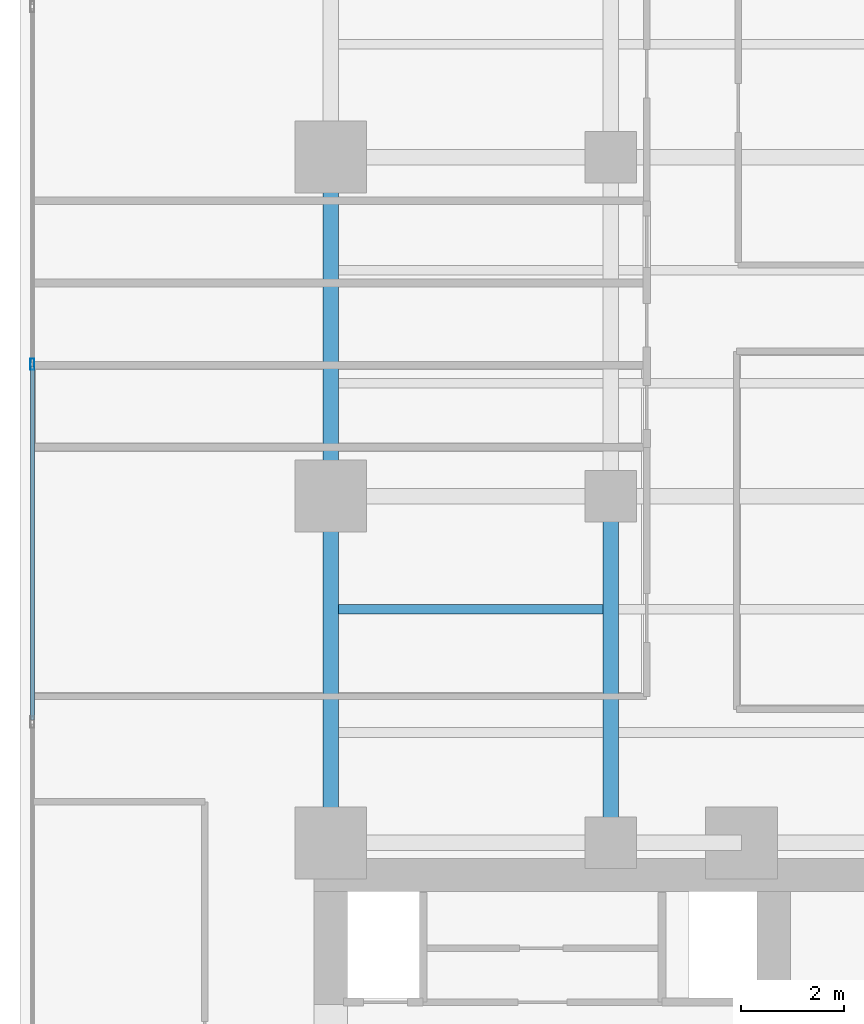
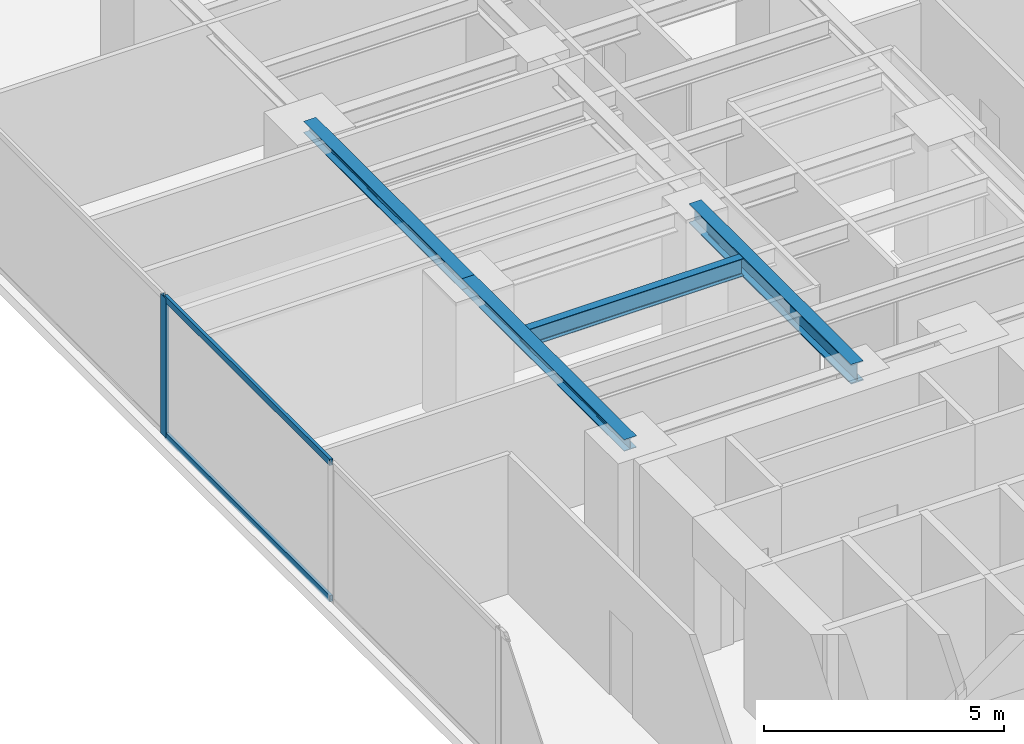
# One storey, part 8 of 28: 4 beams, 3 members, 1 element without a shape of its own.
"""IFC4 building model written with IfcOpenShell, lengths in metres."""

import ifcopenshell
import ifcopenshell.guid

model = None  # the IFC model being written
_history = None  # IfcOwnerHistory: only IFC2X3 demands one
_inside = {}  # id of a spatial element -> (the spatial element, [elements in it])
_under = {}  # id of a project, library or spatial element -> (it, [spatial elements below it])
_declared = {}  # id of a project -> (the project, [libraries it declares])
_typed = {}  # id of a type object -> (the type object, [elements of that type])
_made_of = {}  # id of a material, layer set ... -> (it, [elements and type objects made of it])


def new_model(schema):
    """Start an empty IFC model of exactly this schema.

    Asked for "IFC4X3", IfcOpenShell would pick the latest addendum, in which some entities
    have other attributes; the version numbers below select the first issue.
    IFC2X3 requires an IfcOwnerHistory on every rooted entity: one is made here for all.
    """
    global model, _history
    if schema == "IFC4X3":
        model = ifcopenshell.file(schema_version=(4, 3, 0, 0))
    else:
        model = ifcopenshell.file(schema=schema)
    _inside.clear()
    _under.clear()
    _declared.clear()
    _typed.clear()
    _made_of.clear()
    _history = None
    if model.schema == "IFC2X3":
        org = make("IfcOrganization", Name="unknown")
        user = make(
            "IfcPersonAndOrganization",
            ThePerson=make("IfcPerson", FamilyName="unknown"),
            TheOrganization=org,
        )
        app = make(
            "IfcApplication",
            ApplicationDeveloper=org,
            Version="unknown",
            ApplicationFullName="unknown",
            ApplicationIdentifier="unknown",
        )
        _history = make(
            "IfcOwnerHistory",
            OwningUser=user,
            OwningApplication=app,
            ChangeAction="ADDED",
            CreationDate=0,
        )
    return model


def make(cls, **values):
    """One entity of the class cls with the attributes given. An attribute that is None is left unset."""
    return model.create_entity(
        cls, **{name: value for name, value in values.items() if value is not None}
    )


def rooted(cls, **values):
    """An entity with a GlobalId (a new one), such as an element, a storey or a relation."""
    return make(cls, GlobalId=ifcopenshell.guid.new(), OwnerHistory=_history, **values)


def si_unit(unit_type, name, prefix=None):
    """IfcSIUnit, for example si_unit("LENGTHUNIT", "METRE", prefix="MILLI")."""
    return make("IfcSIUnit", UnitType=unit_type, Prefix=prefix, Name=name)


def assignment(units):
    """IfcUnitAssignment: the units of a project."""
    return None if units is None else make("IfcUnitAssignment", Units=units)


def point(xyz):
    """IfcCartesianPoint."""
    return None if xyz is None else make("IfcCartesianPoint", Coordinates=xyz)


def direction(xyz):
    """IfcDirection."""
    return None if xyz is None else make("IfcDirection", DirectionRatios=xyz)


def frame(location, z_axis=None, x_axis=None):
    """IfcAxis2Placement3D, a coordinate frame: its origin and axes. An axis left out is left unset."""
    return make(
        "IfcAxis2Placement3D",
        Location=point(location),
        Axis=direction(z_axis),
        RefDirection=direction(x_axis),
    )


def frame_2d(location, x_axis=None):
    """IfcAxis2Placement2D, a coordinate frame in the plane: its origin and x axis."""
    return make(
        "IfcAxis2Placement2D", Location=point(location), RefDirection=direction(x_axis)
    )


def origin():
    """The frame at (0, 0, 0) with its axes left unset."""
    return frame((0.0, 0.0, 0.0))


def origin_with_axes():
    """The frame at (0, 0, 0) with the z axis (0, 0, 1) and the x axis (1, 0, 0) written out."""
    return frame((0.0, 0.0, 0.0), z_axis=(0.0, 0.0, 1.0), x_axis=(1.0, 0.0, 0.0))


def origin_2d():
    """The frame at (0, 0) in the plane with its x axis left unset."""
    return frame_2d((0.0, 0.0))


def place(relative_to, where):
    """IfcLocalPlacement: puts the frame where relative to a parent placement (None: the world)."""
    return make(
        "IfcLocalPlacement", PlacementRelTo=relative_to, RelativePlacement=where
    )


def context(
    kind, dimensions, precision=None, world=None, true_north=None, identifier=None
):
    """IfcGeometricRepresentationContext, for example the 3D "Model" context."""
    return make(
        "IfcGeometricRepresentationContext",
        ContextIdentifier=identifier,
        ContextType=kind,
        CoordinateSpaceDimension=dimensions,
        Precision=precision,
        WorldCoordinateSystem=world,
        TrueNorth=true_north,
    )


def subcontext(parent, identifier, kind, view, scale=None):
    """IfcGeometricRepresentationSubContext, for example "Body" below "Model"."""
    return make(
        "IfcGeometricRepresentationSubContext",
        ContextIdentifier=identifier,
        ContextType=kind,
        ParentContext=parent,
        TargetScale=scale,
        TargetView=view,
    )


def project(units=None, contexts=None):
    """IfcProject with its units and contexts."""
    return rooted(
        "IfcProject",
        Name="project",
        RepresentationContexts=contexts,
        UnitsInContext=assignment(units),
    )


def spatial(cls, under=None, at=None, **own):
    """A site, building, storey or space (cls), placed at a placement, below another one or the project."""
    s = rooted(cls, ObjectPlacement=at, **own)
    if under is not None:
        _under.setdefault(under.id(), (under, []))[1].append(s)
    return s


def profile(cls, at=None, kind="AREA", **sizes):
    """A parametric profile (cls). Its sizes go by their IFC names, for example OverallWidth=200.0."""
    return make(cls, ProfileType=kind, Position=at, **sizes)


def hollow_rectangle(**sizes):
    """IfcRectangleHollowProfileDef."""
    return profile("IfcRectangleHollowProfileDef", **sizes)


def i_section(**sizes):
    """IfcIShapeProfileDef."""
    return profile("IfcIShapeProfileDef", **sizes)


def extrude(swept, where, along, depth):
    """IfcExtrudedAreaSolid: the profile swept, set in the frame where, extruded along a direction by depth."""
    return make(
        "IfcExtrudedAreaSolid",
        SweptArea=swept,
        Position=where,
        ExtrudedDirection=direction(along),
        Depth=depth,
    )


def shape(context_of_items, identifier, shape_type, items):
    """IfcShapeRepresentation: the items that make up one representation, for example the "Body"."""
    return make(
        "IfcShapeRepresentation",
        ContextOfItems=context_of_items,
        RepresentationIdentifier=identifier,
        RepresentationType=shape_type,
        Items=items,
    )


def source(mapping_origin, context_of_items, identifier, shape_type, items):
    """IfcRepresentationMap: a shape defined once, which mapped items show again and again."""
    return make(
        "IfcRepresentationMap",
        MappingOrigin=mapping_origin,
        MappedRepresentation=shape(context_of_items, identifier, shape_type, items),
    )


def transform(
    local_origin,
    x_axis=None,
    y_axis=None,
    z_axis=None,
    scale=None,
    scale2=None,
    scale3=None,
    uniform=True,
):
    """IfcCartesianTransformationOperator3D, or its non-uniform kind. x_axis, y_axis, z_axis: its Axis1, 2, 3."""
    if uniform:
        return make(
            "IfcCartesianTransformationOperator3D",
            Axis1=direction(x_axis),
            Axis2=direction(y_axis),
            LocalOrigin=point(local_origin),
            Scale=scale,
            Axis3=direction(z_axis),
        )
    return make(
        "IfcCartesianTransformationOperator3DnonUniform",
        Axis1=direction(x_axis),
        Axis2=direction(y_axis),
        LocalOrigin=point(local_origin),
        Scale=scale,
        Axis3=direction(z_axis),
        Scale2=scale2,
        Scale3=scale3,
    )


def mapped(mapping_source, mapping_target):
    """IfcMappedItem: shows the shape of a source again, moved by a transform."""
    return make(
        "IfcMappedItem", MappingSource=mapping_source, MappingTarget=mapping_target
    )


def material(Name=None, Category=None):
    """IfcMaterial."""
    return make("IfcMaterial", Name=Name, Category=Category)


def layer(
    of_material, thickness, ventilated=None, Name=None, Category=None, Priority=None
):
    """IfcMaterialLayer: one layer of a wall or slab, of a material (None: an air gap)."""
    return make(
        "IfcMaterialLayer",
        Material=of_material,
        LayerThickness=thickness,
        IsVentilated=ventilated,
        Name=Name,
        Category=Category,
        Priority=Priority,
    )


def layer_set(layers, Name=None):
    """IfcMaterialLayerSet."""
    return make("IfcMaterialLayerSet", MaterialLayers=layers, LayerSetName=Name)


def material_profile(
    of_material, cross_section, Name=None, Category=None, Priority=None
):
    """IfcMaterialProfile: a cross section and its material."""
    return make(
        "IfcMaterialProfile",
        Name=Name,
        Material=of_material,
        Profile=cross_section,
        Priority=Priority,
        Category=Category,
    )


def profile_set(profiles, Name=None, composite=None):
    """IfcMaterialProfileSet."""
    return make(
        "IfcMaterialProfileSet",
        Name=Name,
        MaterialProfiles=profiles,
        CompositeProfile=composite,
    )


def made_of(thing, what):
    """Note that an element or type object is made of a material, layer set ...; save() writes the relation."""
    if what is not None:
        _made_of.setdefault(what.id(), (what, []))[1].append(thing)
    return thing


def type_object(cls, material=None, **own):
    """A type object (cls), such as IfcWallType, which elements share."""
    return made_of(rooted(cls, **own), material)


def element(
    cls,
    number,
    at=None,
    inside=None,
    cuts=None,
    type_object=None,
    material=None,
    context=None,
    identifier="Body",
    shape_type=None,
    held_by="IfcProductDefinitionShape",
    body=None,
    shapes=None,
    **own,
):
    """One element of the class cls, such as IfcWall. Its Tag is "e" and its number.

    at: its placement. inside: the storey or other place that contains it. cuts: it is an
    opening in that element (IfcRelVoidsElement). A single representation is given by context,
    identifier, shape_type and body (its items); several are given by shapes. held_by: the class
    of the entity that holds the representations. save() writes the other relations.
    """
    e = rooted(cls, Tag="e%d" % number, ObjectPlacement=at, **own)
    if body is not None:
        shapes = [shape(context, identifier, shape_type, body)]
    if shapes is not None:
        e.Representation = make(held_by, Representations=shapes)
    if inside is not None:
        _inside.setdefault(inside.id(), (inside, []))[1].append(e)
    if cuts is not None:
        rooted(
            "IfcRelVoidsElement", RelatingBuildingElement=cuts, RelatedOpeningElement=e
        )
    if type_object is not None:
        _typed.setdefault(type_object.id(), (type_object, []))[1].append(e)
    return made_of(e, material)


def aggregate(whole, parts):
    """IfcRelAggregates: a whole, such as a stair, and the parts it consists of."""
    return rooted("IfcRelAggregates", RelatingObject=whole, RelatedObjects=parts)


def save(model, path):
    """Write the relations noted so far, then the file.

    IfcRelAggregates (storeys below a building ...), IfcRelContainedInSpatialStructure (elements
    in a storey), IfcRelDefinesByType, IfcRelAssociatesMaterial and IfcRelDeclares: one each for
    every whole, place, type object, material and project.
    """
    for whole, parts in _under.values():
        aggregate(whole, parts)
    for where, things in _inside.values():
        rooted(
            "IfcRelContainedInSpatialStructure",
            RelatedElements=things,
            RelatingStructure=where,
        )
    for kind, things in _typed.values():
        rooted("IfcRelDefinesByType", RelatedObjects=things, RelatingType=kind)
    for what, things in _made_of.values():
        rooted("IfcRelAssociatesMaterial", RelatedObjects=things, RelatingMaterial=what)
    for by, libraries in _declared.values():
        rooted("IfcRelDeclares", RelatingContext=by, RelatedDefinitions=libraries)
    model.write(path)


model = new_model("IFC4")

# Units and contexts
model_context = context("Model", 3, precision=1e-05, world=origin(), true_north=direction((0.0, 1.0)))
body_context = subcontext(model_context, "Body", "Model", "MODEL_VIEW")
ifc_project = project(units=[si_unit("LENGTHUNIT", "METRE"), si_unit("AREAUNIT", "SQUARE_METRE"), si_unit("VOLUMEUNIT", "CUBIC_METRE"), si_unit("PLANEANGLEUNIT", "RADIAN"), si_unit("MASSUNIT", "GRAM", prefix="KILO")], contexts=[model_context])

# Site, building, storey
site_placement = place(None, origin())
site = spatial("IfcSite", under=ifc_project, at=site_placement, CompositionType="ELEMENT")
building_placement = place(site_placement, origin())
building = spatial("IfcBuilding", under=site, at=building_placement, Name="Kolvaren Waterfront Exchange", CompositionType="ELEMENT")
storey_placement = place(building_placement, frame((0.0, 0.0, 114.5)))
storey = spatial("IfcBuildingStorey", under=building, at=storey_placement, Name="L29", CompositionType="ELEMENT", Elevation=114.5)

# Beams
ifc_material_1 = material(Name="Steel S355", Category="steel")
ifc_material_profile_1 = material_profile(ifc_material_1, i_section(OverallWidth=0.300048828125, OverallDepth=0.300048828125, WebThickness=0.010986328125, FlangeThickness=0.01904296875, FilletRadius=0.027099609375, at=origin_2d()), Name="HEB300")
ifc_profile_set_1 = profile_set([ifc_material_profile_1], Name="Steel S355")
beam_type_1 = type_object("IfcBeamType", Name="STR-BM-HEB300", PredefinedType="SPANDREL", material=ifc_profile_set_1)
beam_1_placement = place(storey_placement, frame((7.449951171875, 24.449951171875, 3.389892578125), z_axis=(0.0, 1.0, 0.0), x_axis=(-1.0, 0.0, 0.0)))
element("IfcBeam", 1, at=beam_1_placement, inside=storey, type_object=beam_type_1, Name="L29 north-arm edge beam 1", PredefinedType="SPANDREL", context=body_context, shape_type="SweptSolid", body=[
    extrude(i_section(OverallWidth=0.300048828125, OverallDepth=0.300048828125, WebThickness=0.010986328125, FlangeThickness=0.01904296875, FilletRadius=0.027099609375, at=origin_2d()), origin(), (0.0, 0.0, 1.0), 6.75),
])
beam_2_placement = place(storey_placement, frame((7.449951171875, 31.199951171875, 3.389892578125), z_axis=(0.0, 1.0, 0.0), x_axis=(-1.0, 0.0, 0.0)))
element("IfcBeam", 2, at=beam_2_placement, inside=storey, type_object=beam_type_1, Name="L29 north-arm edge beam 2", PredefinedType="SPANDREL", context=body_context, shape_type="SweptSolid", body=[
    extrude(i_section(OverallWidth=0.300048828125, OverallDepth=0.300048828125, WebThickness=0.010986328125, FlangeThickness=0.01904296875, FilletRadius=0.027099609375, at=origin_2d()), origin(), (0.0, 0.0, 1.0), 6.60009765625),
])
ifc_material_profile_2 = material_profile(ifc_material_1, i_section(OverallWidth=0.300048828125, OverallDepth=0.5, WebThickness=0.014404296875, FlangeThickness=0.028076171875, FilletRadius=0.027099609375, at=origin_2d()), Name="HEB500")
ifc_profile_set_2 = profile_set([ifc_material_profile_2], Name="Steel S355")
beam_type_2 = type_object("IfcBeamType", Name="STR-BM-HEB500", PredefinedType="BEAM", material=ifc_profile_set_2)
beam_3_placement = place(storey_placement, frame((12.89990234375, 24.449951171875, 3.2900390625), z_axis=(0.0, 1.0, 0.0), x_axis=(-1.0, 0.0, 0.0)))
element("IfcBeam", 3, at=beam_3_placement, inside=storey, type_object=beam_type_2, Name="L29 north-arm edge beam 1", PredefinedType="BEAM", context=body_context, shape_type="SweptSolid", body=[
    extrude(i_section(OverallWidth=0.300048828125, OverallDepth=0.5, WebThickness=0.014404296875, FlangeThickness=0.028076171875, FilletRadius=0.027099609375, at=origin_2d()), origin(), (0.0, 0.0, 1.0), 6.75),
])
ifc_material_profile_3 = material_profile(ifc_material_1, i_section(OverallWidth=0.18994140625, OverallDepth=0.449951171875, WebThickness=0.009521484375, FlangeThickness=0.0146484375, FilletRadius=0.02099609375, at=origin_2d()), Name="IPE450")
ifc_profile_set_3 = profile_set([ifc_material_profile_3], Name="Steel S355")
beam_type_3 = type_object("IfcBeamType", Name="STR-BM-IPE450", PredefinedType="JOIST", material=ifc_profile_set_3)
beam_4_placement = place(storey_placement, frame((7.60205078125, 29.0, 3.31494140625), z_axis=(1.0, 0.0, 0.0), x_axis=(0.0, 1.0, 0.0)))
element("IfcBeam", 4, at=beam_4_placement, inside=storey, type_object=beam_type_3, Name="L29 north-arm composite joist 2A", PredefinedType="JOIST", context=body_context, shape_type="SweptSolid", body=[
    extrude(i_section(OverallWidth=0.18994140625, OverallDepth=0.449951171875, WebThickness=0.009521484375, FlangeThickness=0.0146484375, FilletRadius=0.02099609375, at=origin_2d()), origin(), (0.0, 0.0, 1.0), 5.14599609375),
])

# Curtain wall, members
ifc_material_2 = material(Name="Anodised aluminium 6063-T6", Category="aluminium")
ifc_layer = layer(ifc_material_2, 0.219970703125, Name="Anodised aluminium 6063-T6")
ifc_layer_set = layer_set([ifc_layer], Name="Anodised aluminium 6063-T6")
curtain_wall_type = type_object("IfcCurtainWallType", Name="ARC-CW-SYS2", PredefinedType="USERDEFINED", material=ifc_layer_set)
curtain_wall_placement = place(storey_placement, origin())
curtain_wall = element("IfcCurtainWall", 5, at=curtain_wall_placement, inside=storey, type_object=curtain_wall_type, Name="L29 stick curtain wall CW2 (CW-L29-W)", ObjectType="STICK CURTAIN WALL", PredefinedType="USERDEFINED")
ifc_material_profile_4 = material_profile(ifc_material_2, hollow_rectangle(XDim=0.080078125, YDim=0.219970703125, WallThickness=0.0048828125, at=origin_2d()), Name="ALU-MUL-220x80x5")
ifc_profile_set_4 = profile_set([ifc_material_profile_4], Name="Anodised aluminium 6063-T6")
member_type_1 = type_object("IfcMemberType", Name="ARC-CWM-220", PredefinedType="MULLION", material=ifc_profile_set_4)
shared_shape_1 = source(origin_with_axes(), body_context, "Body", "SweptSolid", [
    extrude(hollow_rectangle(XDim=0.080078125, YDim=0.219970703125, WallThickness=0.0048828125, at=origin_2d()), origin(), (0.0, 0.0, 1.0), 3.5400390625),
])
member_1_placement = place(storey_placement, frame((1.639892578125, 33.7666015625, 0.0), z_axis=(0.0, 0.0, 1.0), x_axis=(-1.0, 0.0, 0.0)))
member_1 = element("IfcMember", 6, at=member_1_placement, type_object=member_type_1, Name="CW2 mullion 5", PredefinedType="MULLION", context=body_context, shape_type="MappedRepresentation", body=[
    mapped(shared_shape_1, transform((0.0, 0.0, 0.0), x_axis=(1.0, 0.0, 0.0), y_axis=(0.0, 1.0, 0.0), z_axis=(0.0, 0.0, 1.0), scale=1.0)),
])
ifc_material_profile_5 = material_profile(ifc_material_2, hollow_rectangle(XDim=0.074951171875, YDim=0.159912109375, WallThickness=0.00439453125, at=origin_2d()), Name="ALU-TRN-160x75x4.5")
ifc_profile_set_5 = profile_set([ifc_material_profile_5], Name="Anodised aluminium 6063-T6")
member_type_2 = type_object("IfcMemberType", Name="ARC-CWT-160", PredefinedType="USERDEFINED", material=ifc_profile_set_5)
shared_shape_2 = source(origin_with_axes(), body_context, "Body", "SweptSolid", [
    extrude(hollow_rectangle(XDim=0.074951171875, YDim=0.159912109375, WallThickness=0.00439453125, at=origin_2d()), origin(), (0.0, 0.0, 1.0), 6.886474609375),
])
member_2_placement = place(storey_placement, frame((1.639892578125, 26.840087890625, 0.03759765625), z_axis=(0.0, 1.0, 0.0), x_axis=(-1.0, 0.0, 0.0)))
member_2 = element("IfcMember", 7, at=member_2_placement, type_object=member_type_2, Name="CW2 transom 4.1", ObjectType="TRANSOM", PredefinedType="USERDEFINED", context=body_context, shape_type="MappedRepresentation", body=[
    mapped(shared_shape_2, transform((0.0, 0.0, 0.0), x_axis=(1.0, 0.0, 0.0), y_axis=(0.0, 1.0, 0.0), z_axis=(0.0, 0.0, 1.0), scale=1.0)),
])
member_3_placement = place(storey_placement, frame((1.639892578125, 26.840087890625, 3.50244140625), z_axis=(0.0, 1.0, 0.0), x_axis=(-1.0, 0.0, 0.0)))
member_3 = element("IfcMember", 8, at=member_3_placement, type_object=member_type_2, Name="CW2 transom 4.2", ObjectType="TRANSOM", PredefinedType="USERDEFINED", context=body_context, shape_type="MappedRepresentation", body=[
    mapped(shared_shape_2, transform((0.0, 0.0, 0.0), x_axis=(1.0, 0.0, 0.0), y_axis=(0.0, 1.0, 0.0), z_axis=(0.0, 0.0, 1.0), scale=1.0)),
])
aggregate(curtain_wall, [member_1, member_2, member_3])

save(model, "model.ifc")
